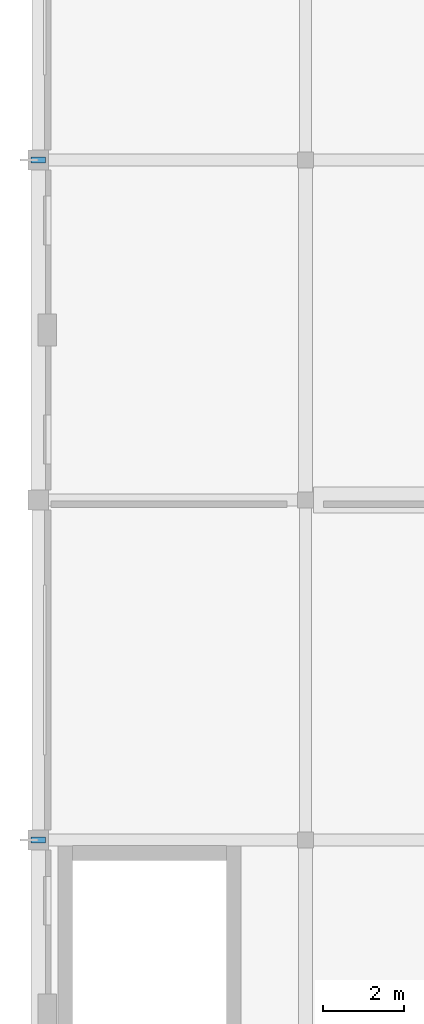
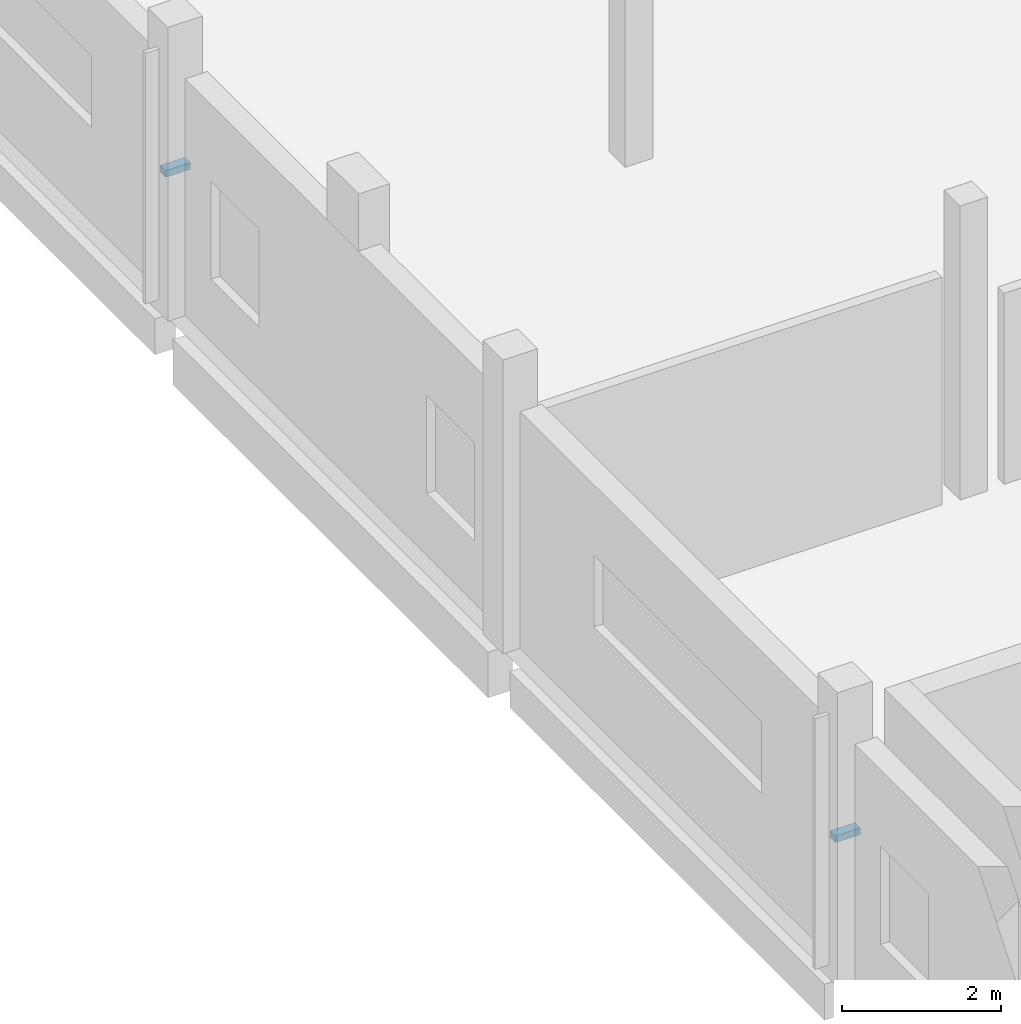
# One storey, part 57 of 76: 2 discrete accessories.
"""IFC4 building model written with IfcOpenShell, lengths in metres."""

from ifc_helpers import new_model, si_unit, direction, frame, origin, origin_2d, place, context, subcontext, project, spatial, rectangle, extrude, material, layer, layer_set, type_object, element, save


model = new_model("IFC4")

# Units and contexts
model_context = context("Model", 3, precision=1e-05, world=origin(), true_north=direction((0.0, 1.0)))
body_context = subcontext(model_context, "Body", "Model", "MODEL_VIEW")
ifc_project = project(units=[si_unit("LENGTHUNIT", "METRE"), si_unit("AREAUNIT", "SQUARE_METRE"), si_unit("VOLUMEUNIT", "CUBIC_METRE"), si_unit("PLANEANGLEUNIT", "RADIAN"), si_unit("MASSUNIT", "GRAM", prefix="KILO")], contexts=[model_context])

# Site, building, storey
site_placement = place(None, origin())
site = spatial("IfcSite", under=ifc_project, at=site_placement, CompositionType="ELEMENT")
building_placement = place(site_placement, origin())
building = spatial("IfcBuilding", under=site, at=building_placement, Name="Qaldarim Faculty of Natural and Applied Sciences", CompositionType="ELEMENT")
storey_placement = place(building_placement, frame((0.0, 0.0, 9.89990234375)))
storey = spatial("IfcBuildingStorey", under=building, at=storey_placement, Name="L02", CompositionType="ELEMENT", Elevation=9.89990234375)

# Discrete accessories
ifc_material = material(Name="Architectural stainless steel 316", Category="steel")
ifc_layer = layer(ifc_material, 0.080078125)
ifc_layer_set = layer_set([ifc_layer], Name="Architectural stainless steel 316")
discrete_accessory_type = type_object("IfcDiscreteAccessoryType", Name="FacadeBracket-SS120", PredefinedType="BRACKET", material=ifc_layer_set)
for number, where, z_axis, x_axis, name in (
    (1, (0.0, 25.199951171875, 2.070068359375), (0.0, 0.0, 1.0), (1.0, 0.0, 0.0), "Solar fin bracket FIN-L02-X01Y04"),
    (2, (0.0, 42.0, 2.070068359375), (0.0, 0.0, 1.0), (1.0, 0.0, 0.0), "Solar fin bracket FIN-L02-X01Y06"),
):
    element("IfcDiscreteAccessory", number, at=place(storey_placement, frame(where, z_axis=z_axis, x_axis=x_axis)), inside=storey, type_object=discrete_accessory_type, Name=name, PredefinedType="BRACKET", context=body_context, shape_type="SweptSolid", body=[
        extrude(rectangle(XDim=0.360107421875, YDim=0.139892578125, at=origin_2d()), origin(), (0.0, 0.0, 1.0), 0.10009765625),
    ])

save(model, "model.ifc")
